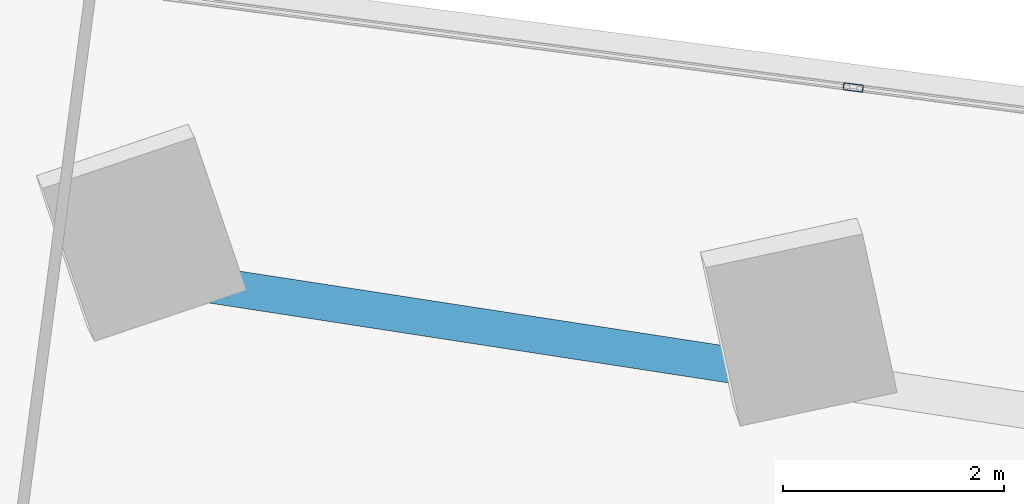
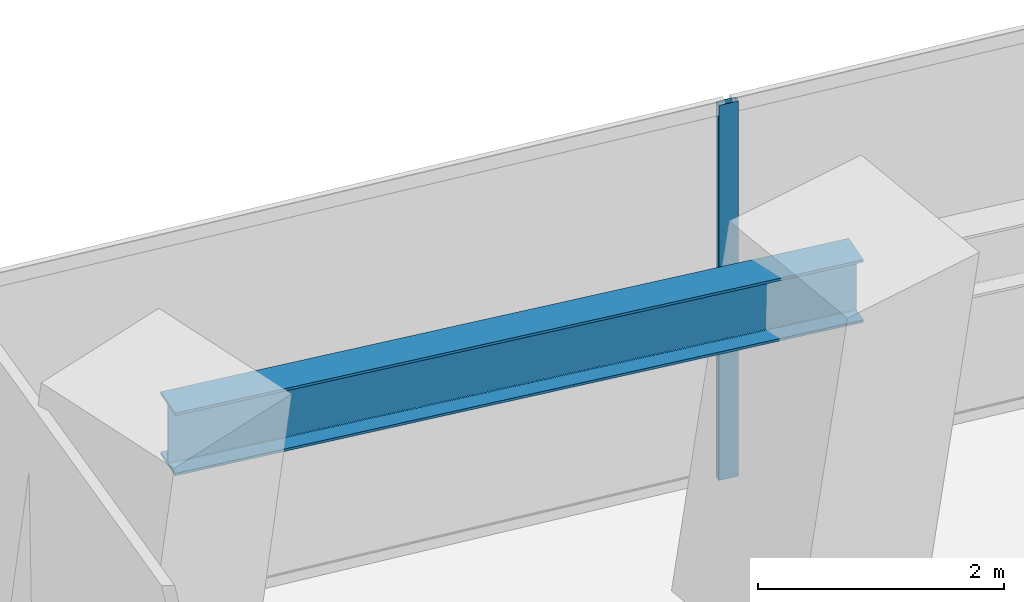
# One storey, part 12 of 24: 1 beam, 1 member, 1 element without a shape of its own.
"""IFC4 building model written with IfcOpenShell, lengths in metres."""

from ifc_helpers import new_model, si_unit, direction, frame, origin, origin_2d, place, context, subcontext, project, spatial, hollow_rectangle, i_section, extrude, source, transform, mapped, material, material_profile, profile_set, type_object, element, aggregate, save


model = new_model("IFC4")

# Units and contexts
model_context = context("Model", 3, precision=1e-05, world=origin(), true_north=direction((0.0, 1.0)))
body_context = subcontext(model_context, "Body", "Model", "MODEL_VIEW")
ifc_project = project(units=[si_unit("LENGTHUNIT", "METRE"), si_unit("AREAUNIT", "SQUARE_METRE"), si_unit("VOLUMEUNIT", "CUBIC_METRE"), si_unit("PLANEANGLEUNIT", "RADIAN"), si_unit("MASSUNIT", "GRAM", prefix="KILO")], contexts=[model_context])

# Site, building, storey
site_placement = place(None, origin())
site = spatial("IfcSite", under=ifc_project, at=site_placement, CompositionType="ELEMENT")
building_placement = place(site_placement, origin())
building = spatial("IfcBuilding", under=site, at=building_placement, Name="Torre Montelarca", CompositionType="ELEMENT")
storey_placement = place(building_placement, frame((0.0, 0.0, 66.39990234375)))
storey = spatial("IfcBuildingStorey", under=building, at=storey_placement, Name="L14", CompositionType="ELEMENT", Elevation=66.39990234375)

# Beam
ifc_material_1 = material(Name="Steel ASTM A992 Grade 50", Category="steel")
ifc_material_profile_1 = material_profile(ifc_material_1, i_section(OverallWidth=0.326904296875, OverallDepth=0.6220703125, WebThickness=0.015380859375, FlangeThickness=0.0244140625, FilletRadius=0.014892578125, at=origin_2d()), Name="W610X195", Category="steel")
ifc_profile_set_1 = profile_set([ifc_material_profile_1], Name="Steel ASTM A992 Grade 50")
beam_type = type_object("IfcBeamType", Name="BM-G-W610H", PredefinedType="BEAM", material=ifc_profile_set_1)
shared_shape_1 = source(origin(), body_context, "Body", "SweptSolid", [
    extrude(i_section(OverallWidth=0.326904296875, OverallDepth=0.6220703125, WebThickness=0.015380859375, FlangeThickness=0.0244140625, FilletRadius=0.014892578125, at=origin_2d()), origin(), (0.0, 0.0, 1.0), 6.0),
])
beam_placement = place(storey_placement, frame((43.89111328125, 42.718505859375, 3.649169921875), z_axis=(0.988365111025, -0.152099991149, 0.0), x_axis=(0.152099991149, 0.988365111025, 0.0)))
element("IfcBeam", 1, at=beam_placement, inside=storey, type_object=beam_type, Name="L14 Grid Girder X 42.0-48.0 at Y=46.0", PredefinedType="BEAM", context=body_context, shape_type="MappedRepresentation", body=[
    mapped(shared_shape_1, transform((0.0, 0.0, 0.0), scale=1.0)),
])

# Curtain wall, member
ifc_material_2 = material(Name="Insulated low-E laminated glass", Category="glass")
curtain_wall_type = type_object("IfcCurtainWallType", Name="CW-SYS-Z1", PredefinedType="USERDEFINED", material=ifc_material_2)
curtain_wall_placement = place(storey_placement, origin())
curtain_wall = element("IfcCurtainWall", 2, at=curtain_wall_placement, inside=storey, type_object=curtain_wall_type, Name="L14 Curtain Wall Run CW-T3-L14-E08-B1", ObjectType="UNITISED GLAZING", PredefinedType="USERDEFINED")
ifc_material_3 = material(Name="Anodised aluminium AA 6063-T6", Category="aluminium")
ifc_material_profile_2 = material_profile(ifc_material_3, hollow_rectangle(XDim=0.06494140625, YDim=0.179931640625, WallThickness=0.00390625, InnerFilletRadius=0.00390625, OuterFilletRadius=0.008056640625, at=origin_2d()), Name="ALU65X180X4", Category="aluminium")
ifc_profile_set_2 = profile_set([ifc_material_profile_2], Name="Anodised aluminium AA 6063-T6")
member_type = type_object("IfcMemberType", Name="CWM-ALU180", PredefinedType="MULLION", material=ifc_profile_set_2)
shared_shape_2 = source(origin(), body_context, "Body", "SweptSolid", [
    extrude(hollow_rectangle(XDim=0.06494140625, YDim=0.179931640625, WallThickness=0.00390625, InnerFilletRadius=0.00390625, OuterFilletRadius=0.008056640625, at=origin_2d()), origin(), (0.0, 0.0, 1.0), 3.72021484375),
])
member_placement = place(storey_placement, frame((50.13232421875, 44.439208984375, 0.0), z_axis=(0.0, 0.0, 1.0), x_axis=(-0.130524544449, -0.991445078306, 0.0)))
member = element("IfcMember", 3, at=member_placement, type_object=member_type, Name="CW mullion 2", PredefinedType="MULLION", context=body_context, shape_type="MappedRepresentation", body=[
    mapped(shared_shape_2, transform((0.0, 0.0, 0.0), scale=1.0)),
])
aggregate(curtain_wall, [member])

save(model, "model.ifc")
